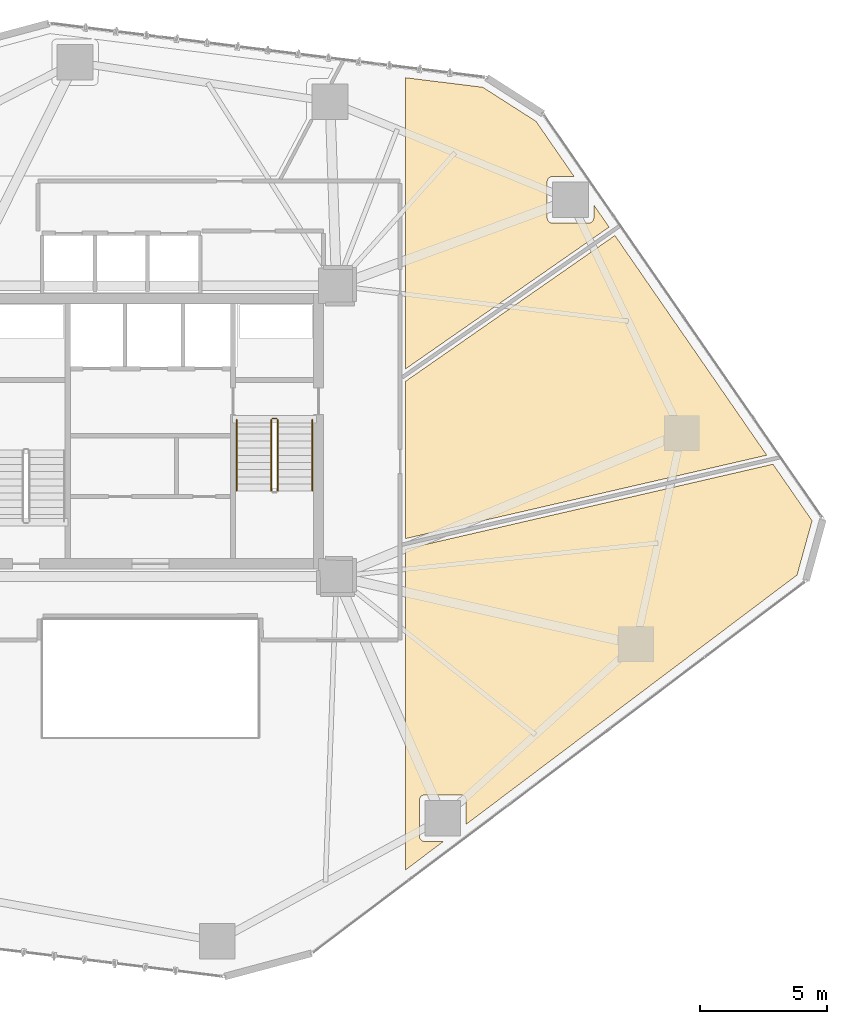
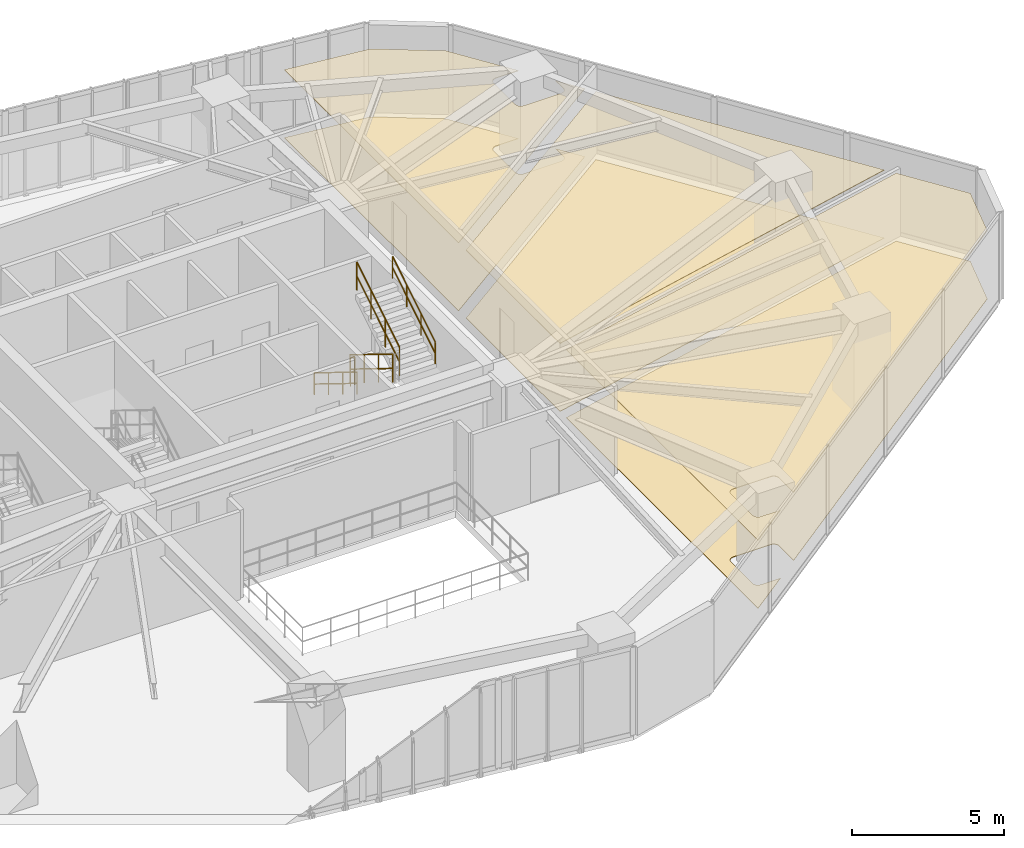
# One storey, part 22 of 23: 6 coverings, 5 railings.
"""IFC4 building model written with IfcOpenShell, lengths in metres."""

from ifc_helpers import new_model, si_unit, direction, frame, origin, origin_2d, place, context, subcontext, project, spatial, polyline, circle, outline, extrude, material, layer, layer_set, type_object, element, save


model = new_model("IFC4")

# Units and contexts
model_context = context("Model", 3, precision=1e-05, world=origin(), true_north=direction((0.0, 1.0)))
body_context = subcontext(model_context, "Body", "Model", "MODEL_VIEW")
ifc_project = project(units=[si_unit("LENGTHUNIT", "METRE"), si_unit("AREAUNIT", "SQUARE_METRE"), si_unit("VOLUMEUNIT", "CUBIC_METRE"), si_unit("PLANEANGLEUNIT", "RADIAN"), si_unit("MASSUNIT", "GRAM", prefix="KILO")], contexts=[model_context])

# Site, building, storey
site_placement = place(None, origin())
site = spatial("IfcSite", under=ifc_project, at=site_placement, CompositionType="ELEMENT")
building_placement = place(site_placement, origin())
building = spatial("IfcBuilding", under=site, at=building_placement, Name="Talar Marvaseh", CompositionType="ELEMENT")
storey_placement = place(building_placement, frame((0.0, 0.0, 69.60009765625)))
storey = spatial("IfcBuildingStorey", under=building, at=storey_placement, Name="L17", CompositionType="ELEMENT", Elevation=69.60009765625)

# Railings
ifc_material_1 = material(Name="Stainless Steel Grade 316", Category="steel")
railing_type_1 = type_object("IfcRailingType", Name="Brushed Stainless Wall Pitch Handrail 900", PredefinedType="HANDRAIL", material=ifc_material_1)
railing_1_placement = place(storey_placement, frame((29.389892578125, 31.64990234375, 0.172607421875)))
element("IfcRailing", 1, at=railing_1_placement, inside=storey, type_object=railing_type_1, Name="L17 ST-2 stair handrail 1", PredefinedType="HANDRAIL", context=body_context, shape_type="SweptSolid", body=[
    extrude(circle(Radius=0.02392578125, at=origin_2d()), frame((0.0, 0.0, 0.8759765625), z_axis=(0.0, -0.851069175582, 0.525053576669), x_axis=(1.0, 0.0, 0.0)), (0.0, 0.0, 1.0), 3.289794921875),
    extrude(circle(Radius=0.02392578125, at=origin_2d()), frame((0.0, 0.0, 0.42578125), z_axis=(0.0, -0.851069175582, 0.525053576669), x_axis=(1.0, 0.0, 0.0)), (0.0, 0.0, 1.0), 3.289794921875),
    extrude(circle(Radius=0.02099609375, at=origin_2d()), origin(), (0.0, 0.0, 1.0), 0.851806640625),
    extrude(circle(Radius=0.02099609375, at=origin_2d()), frame((0.0, -0.933349609375, 0.57568359375)), (0.0, 0.0, 1.0), 0.851806640625),
    extrude(circle(Radius=0.02099609375, at=origin_2d()), frame((0.0, -1.866455078125, 1.151611328125)), (0.0, 0.0, 1.0), 0.851806640625),
    extrude(circle(Radius=0.02099609375, at=origin_2d()), frame((0.0, -2.7998046875, 1.727294921875)), (0.0, 0.0, 1.0), 0.851806640625),
])
railing_2_placement = place(storey_placement, frame((32.35009765625, 28.85009765625, 2.072509765625)))
element("IfcRailing", 2, at=railing_2_placement, inside=storey, type_object=railing_type_1, Name="L17 ST-2 stair handrail 2", PredefinedType="HANDRAIL", context=body_context, shape_type="SweptSolid", body=[
    extrude(circle(Radius=0.02392578125, at=origin_2d()), frame((0.0, 0.0, 0.8759765625), z_axis=(0.0, 0.851069175582, 0.525053576669), x_axis=(-1.0, 0.0, 0.0)), (0.0, 0.0, 1.0), 3.289794921875),
    extrude(circle(Radius=0.02392578125, at=origin_2d()), frame((0.0, 0.0, 0.42578125), z_axis=(0.0, 0.851069175582, 0.525053576669), x_axis=(-1.0, 0.0, 0.0)), (0.0, 0.0, 1.0), 3.289794921875),
    extrude(circle(Radius=0.02099609375, at=origin_2d()), origin(), (0.0, 0.0, 1.0), 0.851806640625),
    extrude(circle(Radius=0.02099609375, at=origin_2d()), frame((0.0, 0.933349609375, 0.57568359375)), (0.0, 0.0, 1.0), 0.851806640625),
    extrude(circle(Radius=0.02099609375, at=origin_2d()), frame((0.0, 1.866455078125, 1.151611328125)), (0.0, 0.0, 1.0), 0.851806640625),
    extrude(circle(Radius=0.02099609375, at=origin_2d()), frame((0.0, 2.7998046875, 1.727294921875)), (0.0, 0.0, 1.0), 0.851806640625),
])
railing_type_2 = type_object("IfcRailingType", Name="Painted Steel Core Stair Well Guardrail 1150", PredefinedType="GUARDRAIL", material=ifc_material_1)
railing_3_placement = place(storey_placement, frame((30.739990234375, 31.64990234375, 0.172607421875)))
element("IfcRailing", 3, at=railing_3_placement, inside=storey, type_object=railing_type_2, Name="L17 ST-2 stair guard 1", PredefinedType="GUARDRAIL", context=body_context, shape_type="SweptSolid", body=[
    extrude(circle(Radius=0.02392578125, at=origin_2d()), frame((0.0, 0.0, 1.1259765625), z_axis=(0.0, -0.851069175582, 0.525053576669), x_axis=(1.0, 0.0, 0.0)), (0.0, 0.0, 1.0), 3.289794921875),
    extrude(circle(Radius=0.02392578125, at=origin_2d()), frame((0.0, 0.0, 0.55078125), z_axis=(0.0, -0.851069175582, 0.525053576669), x_axis=(1.0, 0.0, 0.0)), (0.0, 0.0, 1.0), 3.289794921875),
    extrude(circle(Radius=0.02099609375, at=origin_2d()), origin(), (0.0, 0.0, 1.0), 1.101806640625),
    extrude(circle(Radius=0.02099609375, at=origin_2d()), frame((0.0, -0.933349609375, 0.57568359375)), (0.0, 0.0, 1.0), 1.101806640625),
    extrude(circle(Radius=0.02099609375, at=origin_2d()), frame((0.0, -1.866455078125, 1.151611328125)), (0.0, 0.0, 1.0), 1.101806640625),
    extrude(circle(Radius=0.02099609375, at=origin_2d()), frame((0.0, -2.7998046875, 1.727294921875)), (0.0, 0.0, 1.0), 1.101806640625),
])
railing_4_placement = place(storey_placement, frame((31.0, 28.85009765625, 2.072509765625)))
element("IfcRailing", 4, at=railing_4_placement, inside=storey, type_object=railing_type_2, Name="L17 ST-2 stair guard 3", PredefinedType="GUARDRAIL", context=body_context, shape_type="SweptSolid", body=[
    extrude(circle(Radius=0.02392578125, at=origin_2d()), frame((0.0, 0.0, 1.1259765625), z_axis=(0.0, 0.851069175582, 0.525053576669), x_axis=(-1.0, 0.0, 0.0)), (0.0, 0.0, 1.0), 3.289794921875),
    extrude(circle(Radius=0.02392578125, at=origin_2d()), frame((0.0, 0.0, 0.55078125), z_axis=(0.0, 0.851069175582, 0.525053576669), x_axis=(-1.0, 0.0, 0.0)), (0.0, 0.0, 1.0), 3.289794921875),
    extrude(circle(Radius=0.02099609375, at=origin_2d()), origin(), (0.0, 0.0, 1.0), 1.101806640625),
    extrude(circle(Radius=0.02099609375, at=origin_2d()), frame((0.0, 0.933349609375, 0.57568359375)), (0.0, 0.0, 1.0), 1.101806640625),
    extrude(circle(Radius=0.02099609375, at=origin_2d()), frame((0.0, 1.866455078125, 1.151611328125)), (0.0, 0.0, 1.0), 1.101806640625),
    extrude(circle(Radius=0.02099609375, at=origin_2d()), frame((0.0, 2.7998046875, 1.727294921875)), (0.0, 0.0, 1.0), 1.101806640625),
])
railing_5_placement = place(storey_placement, frame((30.7900390625, 31.699951171875, 0.0)))
element("IfcRailing", 5, at=railing_5_placement, inside=storey, type_object=railing_type_2, Name="L17 ST-2 stair guard 4", PredefinedType="GUARDRAIL", context=body_context, shape_type="SweptSolid", body=[
    extrude(circle(Radius=0.02392578125, at=origin_2d()), frame((0.0, 0.0, 1.1259765625), z_axis=(1.0, 0.0, 0.0), x_axis=(0.0, 1.0, 0.0)), (0.0, 0.0, 1.0), 0.159912109375),
    extrude(circle(Radius=0.02392578125, at=origin_2d()), frame((0.0, 0.0, 0.55078125), z_axis=(1.0, 0.0, 0.0), x_axis=(0.0, 1.0, 0.0)), (0.0, 0.0, 1.0), 0.159912109375),
    extrude(circle(Radius=0.02099609375, at=origin_2d()), origin(), (0.0, 0.0, 1.0), 1.101806640625),
    extrude(circle(Radius=0.02099609375, at=origin_2d()), frame((0.159912109375, 0.0, 0.0)), (0.0, 0.0, 1.0), 1.101806640625),
])

# Coverings
ifc_material_2 = material(Name="Mineral Fibre Acoustic Ceiling")
ifc_layer_1 = layer(ifc_material_2, 0.02490234375)
ifc_layer_set_1 = layer_set([ifc_layer_1], Name="Mineral Fibre Acoustic Ceiling")
covering_type_1 = type_object("IfcCoveringType", Name="Perforated Mineral Fibre Acoustic Suspended Ceiling", PredefinedType="CEILING", material=ifc_layer_set_1)
covering_1_placement = place(storey_placement, frame((0.0, 0.0, 2.719970703125)))
element("IfcCovering", 6, at=covering_1_placement, inside=storey, type_object=covering_type_1, Name="L17 Exhibition Gallery Acoustic Ceiling", PredefinedType="CEILING", context=body_context, shape_type="SweptSolid", body=[
    extrude(outline(polyline([(50.420654296875, 29.90234375), (51.952392578125, 27.6865234375), (51.36474609375, 25.556640625), (38.381591796875, 15.7763671875), (38.378662109375, 16.732177734375), (38.377685546875, 16.751708984375), (38.37451171875, 16.771240234375), (38.369873046875, 16.7900390625), (38.36328125, 16.80859375), (38.354736328125, 16.826171875), (38.3447265625, 16.843017578125), (38.3330078125, 16.858642578125), (38.31982421875, 16.873291015625), (38.305419921875, 16.88623046875), (38.28955078125, 16.89794921875), (38.272705078125, 16.907958984375), (38.255126953125, 16.91650390625), (38.236572265625, 16.923095703125), (38.2177734375, 16.927734375), (38.1982421875, 16.9306640625), (38.1787109375, 16.931640625), (36.758544921875, 16.9326171875), (36.73828125, 16.931640625), (36.718017578125, 16.928466796875), (36.697998046875, 16.923095703125), (36.6787109375, 16.916015625), (36.660400390625, 16.906982421875), (36.64306640625, 16.89599609375), (36.626953125, 16.88330078125), (36.6123046875, 16.868896484375), (36.59912109375, 16.853271484375), (36.58740234375, 16.836181640625), (36.577880859375, 16.818359375), (36.572265625, 16.806640625), (36.5654296875, 16.790283203125), (36.56005859375, 16.773193359375), (36.55615234375, 16.755859375), (36.5537109375, 16.73828125), (36.552978515625, 16.720458984375), (36.557373046875, 15.309814453125), (36.558349609375, 15.290283203125), (36.561279296875, 15.27099609375), (36.566162109375, 15.251953125), (36.57275390625, 15.233642578125), (36.5810546875, 15.2158203125), (36.59130859375, 15.19921875), (36.602783203125, 15.18359375), (36.615966796875, 15.1689453125), (36.63037109375, 15.156005859375), (36.64599609375, 15.144287109375), (36.662841796875, 15.134033203125), (36.680419921875, 15.125732421875), (36.698974609375, 15.119140625), (36.718017578125, 15.1142578125), (36.7373046875, 15.111328125), (36.756591796875, 15.1103515625), (37.494384765625, 15.10791015625), (36.0, 13.982177734375), (36.0, 23.0), (36.0, 26.572998046875), (50.420654296875, 29.90234375)])), origin(), (0.0, 0.0, 1.0), 0.02490234375),
])
covering_2_placement = place(storey_placement, frame((0.0, 0.0, 2.719970703125)))
element("IfcCovering", 7, at=covering_2_placement, inside=storey, type_object=covering_type_1, Name="L17 Rare Books Archive Room Acoustic Ceiling", PredefinedType="CEILING", context=body_context, shape_type="SweptSolid", body=[
    extrude(outline(polyline([(44.220947265625, 38.871337890625), (50.176025390625, 30.25634765625), (36.0, 26.983642578125), (36.0, 33.14599609375), (44.220947265625, 38.871337890625)])), origin(), (0.0, 0.0, 1.0), 0.02490234375),
])
covering_3_placement = place(storey_placement, frame((0.0, 0.0, 2.719970703125)))
element("IfcCovering", 8, at=covering_3_placement, inside=storey, type_object=covering_type_1, Name="L17 Accessible WC Block Acoustic Ceiling", PredefinedType="CEILING", context=body_context, shape_type="SweptSolid", body=[
    extrude(outline(polyline([(41.126220703125, 43.348388671875), (42.622314453125, 41.18408203125), (41.777099609375, 41.18408203125), (41.75927734375, 41.18310546875), (41.74169921875, 41.180908203125), (41.724609375, 41.177001953125), (41.70751953125, 41.171630859375), (41.69140625, 41.164794921875), (41.6796875, 41.1591796875), (41.66162109375, 41.1494140625), (41.644775390625, 41.137939453125), (41.62890625, 41.124755859375), (41.61474609375, 41.110107421875), (41.60205078125, 41.093994140625), (41.591064453125, 41.07666015625), (41.58203125, 41.058349609375), (41.57470703125, 41.0390625), (41.569580078125, 41.019287109375), (41.56640625, 40.9990234375), (41.5654296875, 40.978515625), (41.5654296875, 39.5595703125), (41.56640625, 39.5390625), (41.569580078125, 39.518798828125), (41.57470703125, 39.498779296875), (41.58203125, 39.479736328125), (41.591064453125, 39.46142578125), (41.60205078125, 39.444091796875), (41.61474609375, 39.427978515625), (41.62890625, 39.4130859375), (41.644775390625, 39.39990234375), (41.66162109375, 39.388427734375), (41.6796875, 39.37890625), (41.69140625, 39.373291015625), (41.707763671875, 39.366455078125), (41.724609375, 39.361083984375), (41.7421875, 39.357177734375), (41.759765625, 39.354736328125), (41.777587890625, 39.35400390625), (43.18701171875, 39.357421875), (43.20751953125, 39.3583984375), (43.2275390625, 39.36181640625), (43.247314453125, 39.366943359375), (43.2666015625, 39.3740234375), (43.284912109375, 39.38330078125), (43.302001953125, 39.394287109375), (43.318115234375, 39.406982421875), (43.3330078125, 39.421142578125), (43.345947265625, 39.436767578125), (43.357421875, 39.45361328125), (43.3671875, 39.4716796875), (43.372802734375, 39.4833984375), (43.379638671875, 39.49951171875), (43.385009765625, 39.5166015625), (43.388916015625, 39.53369140625), (43.39111328125, 39.55126953125), (43.39208984375, 39.569091796875), (43.39208984375, 40.070556640625), (43.993408203125, 39.200439453125), (36.0, 33.63330078125), (36.0, 41.0), (36.0, 45.061279296875), (39.03955078125, 44.684326171875), (41.126220703125, 43.348388671875)])), origin(), (0.0, 0.0, 1.0), 0.02490234375),
])
ifc_material_3 = material(Name="Porcelain Stoneware Tile", Category="masonry")
ifc_layer_2 = layer(ifc_material_3, 0.02001953125)
ifc_layer_set_2 = layer_set([ifc_layer_2], Name="Porcelain Stoneware Tile")
covering_type_2 = type_object("IfcCoveringType", Name="Polished Porcelain Stoneware Gallery Flooring", PredefinedType="FLOORING", material=ifc_layer_set_2)
covering_4_placement = place(storey_placement, origin())
element("IfcCovering", 9, at=covering_4_placement, inside=storey, type_object=covering_type_2, Name="L17 Exhibition Gallery Flooring", PredefinedType="FLOORING", context=body_context, shape_type="SweptSolid", body=[
    extrude(outline(polyline([(50.420654296875, 29.90234375), (51.952392578125, 27.6865234375), (51.36474609375, 25.556640625), (38.381591796875, 15.7763671875), (38.378662109375, 16.732177734375), (38.377685546875, 16.751708984375), (38.37451171875, 16.771240234375), (38.369873046875, 16.7900390625), (38.36328125, 16.80859375), (38.354736328125, 16.826171875), (38.3447265625, 16.843017578125), (38.3330078125, 16.858642578125), (38.31982421875, 16.873291015625), (38.305419921875, 16.88623046875), (38.28955078125, 16.89794921875), (38.272705078125, 16.907958984375), (38.255126953125, 16.91650390625), (38.236572265625, 16.923095703125), (38.2177734375, 16.927734375), (38.1982421875, 16.9306640625), (38.1787109375, 16.931640625), (36.758544921875, 16.9326171875), (36.73828125, 16.931640625), (36.718017578125, 16.928466796875), (36.697998046875, 16.923095703125), (36.6787109375, 16.916015625), (36.660400390625, 16.906982421875), (36.64306640625, 16.89599609375), (36.626953125, 16.88330078125), (36.6123046875, 16.868896484375), (36.59912109375, 16.853271484375), (36.58740234375, 16.836181640625), (36.577880859375, 16.818359375), (36.572265625, 16.806640625), (36.5654296875, 16.790283203125), (36.56005859375, 16.773193359375), (36.55615234375, 16.755859375), (36.5537109375, 16.73828125), (36.552978515625, 16.720458984375), (36.557373046875, 15.309814453125), (36.558349609375, 15.290283203125), (36.561279296875, 15.27099609375), (36.566162109375, 15.251953125), (36.57275390625, 15.233642578125), (36.5810546875, 15.2158203125), (36.59130859375, 15.19921875), (36.602783203125, 15.18359375), (36.615966796875, 15.1689453125), (36.63037109375, 15.156005859375), (36.64599609375, 15.144287109375), (36.662841796875, 15.134033203125), (36.680419921875, 15.125732421875), (36.698974609375, 15.119140625), (36.718017578125, 15.1142578125), (36.7373046875, 15.111328125), (36.756591796875, 15.1103515625), (37.494384765625, 15.10791015625), (36.0, 13.982177734375), (36.0, 23.0), (36.0, 26.572998046875), (50.420654296875, 29.90234375)])), origin(), (0.0, 0.0, 1.0), 0.02001953125),
])
covering_5_placement = place(storey_placement, origin())
element("IfcCovering", 10, at=covering_5_placement, inside=storey, type_object=covering_type_2, Name="L17 Rare Books Archive Room Flooring", PredefinedType="FLOORING", context=body_context, shape_type="SweptSolid", body=[
    extrude(outline(polyline([(44.220947265625, 38.871337890625), (50.176025390625, 30.25634765625), (36.0, 26.983642578125), (36.0, 33.14599609375), (44.220947265625, 38.871337890625)])), origin(), (0.0, 0.0, 1.0), 0.02001953125),
])
covering_6_placement = place(storey_placement, origin())
element("IfcCovering", 11, at=covering_6_placement, inside=storey, type_object=covering_type_2, Name="L17 Accessible WC Block Flooring", PredefinedType="FLOORING", context=body_context, shape_type="SweptSolid", body=[
    extrude(outline(polyline([(41.126220703125, 43.348388671875), (42.622314453125, 41.18408203125), (41.777099609375, 41.18408203125), (41.75927734375, 41.18310546875), (41.74169921875, 41.180908203125), (41.724609375, 41.177001953125), (41.70751953125, 41.171630859375), (41.69140625, 41.164794921875), (41.6796875, 41.1591796875), (41.66162109375, 41.1494140625), (41.644775390625, 41.137939453125), (41.62890625, 41.124755859375), (41.61474609375, 41.110107421875), (41.60205078125, 41.093994140625), (41.591064453125, 41.07666015625), (41.58203125, 41.058349609375), (41.57470703125, 41.0390625), (41.569580078125, 41.019287109375), (41.56640625, 40.9990234375), (41.5654296875, 40.978515625), (41.5654296875, 39.5595703125), (41.56640625, 39.5390625), (41.569580078125, 39.518798828125), (41.57470703125, 39.498779296875), (41.58203125, 39.479736328125), (41.591064453125, 39.46142578125), (41.60205078125, 39.444091796875), (41.61474609375, 39.427978515625), (41.62890625, 39.4130859375), (41.644775390625, 39.39990234375), (41.66162109375, 39.388427734375), (41.6796875, 39.37890625), (41.69140625, 39.373291015625), (41.707763671875, 39.366455078125), (41.724609375, 39.361083984375), (41.7421875, 39.357177734375), (41.759765625, 39.354736328125), (41.777587890625, 39.35400390625), (43.18701171875, 39.357421875), (43.20751953125, 39.3583984375), (43.2275390625, 39.36181640625), (43.247314453125, 39.366943359375), (43.2666015625, 39.3740234375), (43.284912109375, 39.38330078125), (43.302001953125, 39.394287109375), (43.318115234375, 39.406982421875), (43.3330078125, 39.421142578125), (43.345947265625, 39.436767578125), (43.357421875, 39.45361328125), (43.3671875, 39.4716796875), (43.372802734375, 39.4833984375), (43.379638671875, 39.49951171875), (43.385009765625, 39.5166015625), (43.388916015625, 39.53369140625), (43.39111328125, 39.55126953125), (43.39208984375, 39.569091796875), (43.39208984375, 40.070556640625), (43.993408203125, 39.200439453125), (36.0, 33.63330078125), (36.0, 41.0), (36.0, 45.061279296875), (39.03955078125, 44.684326171875), (41.126220703125, 43.348388671875)])), origin(), (0.0, 0.0, 1.0), 0.02001953125),
])

save(model, "model.ifc")
